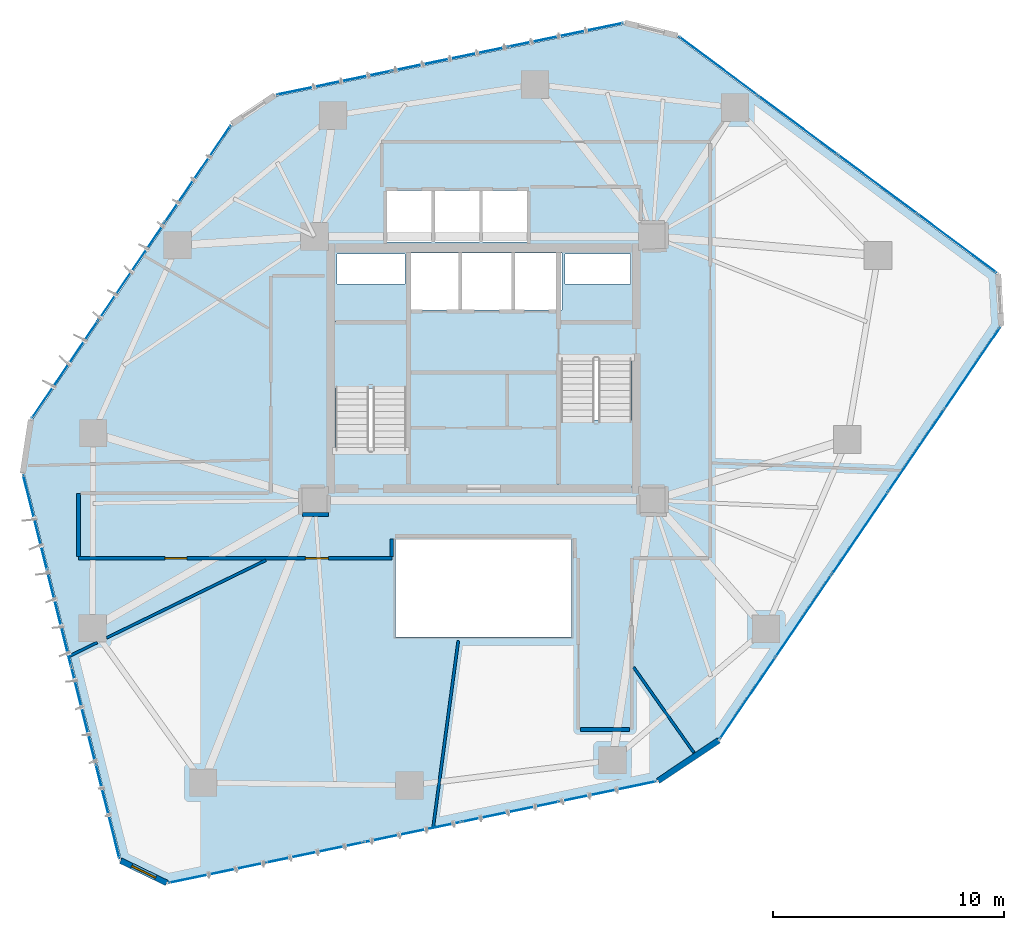
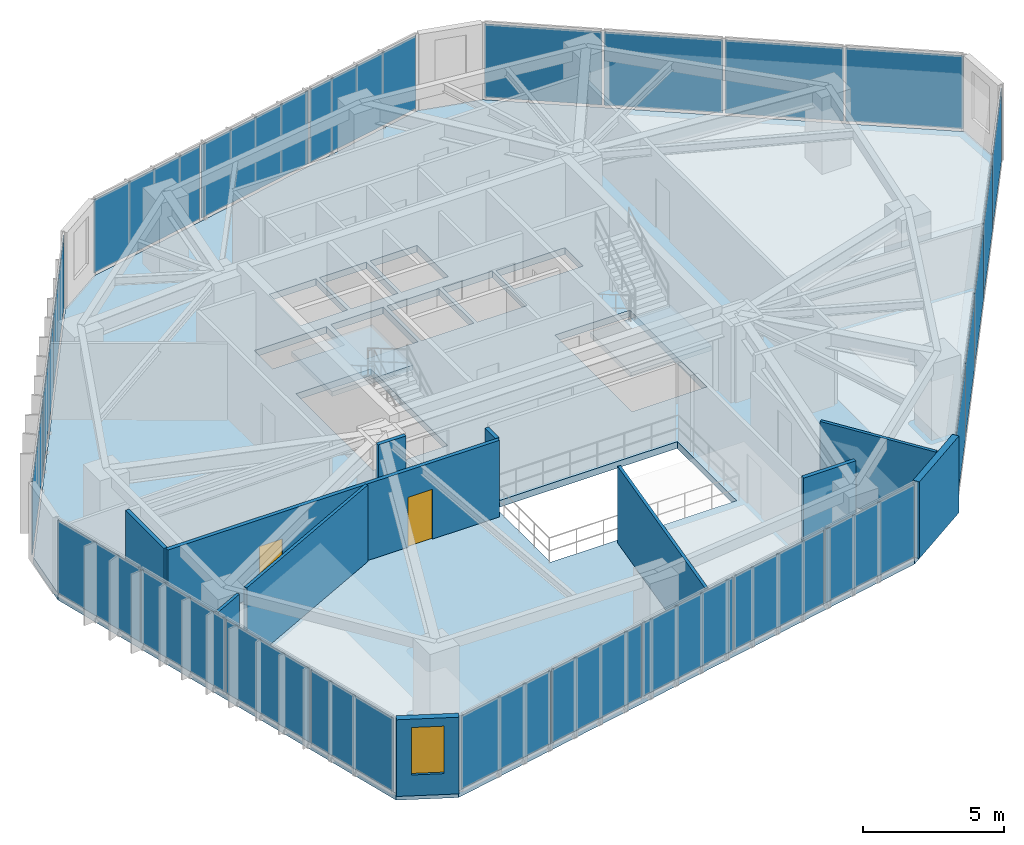
# One storey, part 16 of 22: 24 plates, 11 walls, 3 slabs, 2 doors, 1 window, 3 openings, 8 elements without a shape of their own.
"""IFC4 building model written with IfcOpenShell, lengths in metres."""

from ifc_helpers import new_model, si_unit, direction, frame, frame_2d, origin, origin_2d, place, context, subcontext, project, spatial, polyline, rectangle, outline, extrude, source, transform, mapped, material, layer, layer_set, type_object, type_shapes, element, fill, aggregate, save


model = new_model("IFC4")

# Units and contexts
model_context = context("Model", 3, precision=1e-05, world=origin(), true_north=direction((0.0, 1.0)))
body_context = subcontext(model_context, "Body", "Model", "MODEL_VIEW")
ifc_project = project(units=[si_unit("LENGTHUNIT", "METRE"), si_unit("AREAUNIT", "SQUARE_METRE"), si_unit("VOLUMEUNIT", "CUBIC_METRE"), si_unit("PLANEANGLEUNIT", "RADIAN"), si_unit("MASSUNIT", "GRAM", prefix="KILO")], contexts=[model_context])

# Site, building, storey
site_placement = place(None, origin())
site = spatial("IfcSite", under=ifc_project, at=site_placement, CompositionType="ELEMENT")
building_placement = place(site_placement, origin())
building = spatial("IfcBuilding", under=site, at=building_placement, Name="Talar Marvaseh", CompositionType="ELEMENT")
storey_placement = place(building_placement, frame((0.0, 0.0, 125.39990234375)))
storey = spatial("IfcBuildingStorey", under=building, at=storey_placement, Name="L32", CompositionType="ELEMENT", Elevation=125.39990234375)

# Stair, slab
ifc_material_1 = material(Name="Concrete C40/50", Category="concrete")
stair_type = type_object("IfcStairType", Name="Reinforced Concrete Half-Turn Exit Stair Type B", PredefinedType="HALF_TURN_STAIR", material=ifc_material_1)
stair_1_placement = place(storey_placement, origin())
stair_1 = element("IfcStair", 1, at=stair_1_placement, inside=storey, type_object=stair_type, Name="L32 Tower West Core Exit Stair", PredefinedType="HALF_TURN_STAIR")
ifc_layer_1 = layer(ifc_material_1, 0.199951171875)
ifc_layer_set_1 = layer_set([ifc_layer_1], Name="Concrete C40/50")
slab_type_1 = type_object("IfcSlabType", Name="Reinforced Concrete Stair Half-Landing Slab 200", PredefinedType="LANDING", material=ifc_layer_set_1)
slab_1_placement = place(storey_placement, frame((0.0, 0.0, 1.60009765625)))
slab_1 = element("IfcSlab", 2, at=slab_1_placement, type_object=slab_type_1, Name="ST-1 landing 1", PredefinedType="LANDING", context=body_context, shape_type="SweptSolid", body=[
    extrude(outline(polyline([(22.780029296875, 30.330078125), (22.780029296875, 33.219970703125), (19.47998046875, 33.219970703125), (19.47998046875, 30.330078125), (22.780029296875, 30.330078125)])), origin(), (0.0, 0.0, 1.0), 0.199951171875),
])
aggregate(stair_1, [slab_1])

stair_2_placement = place(storey_placement, origin())
stair_2 = element("IfcStair", 3, at=stair_2_placement, inside=storey, type_object=stair_type, Name="L32 Tower East Core Exit Stair", PredefinedType="HALF_TURN_STAIR")
slab_2_placement = place(storey_placement, frame((0.0, 0.0, 1.60009765625)))
slab_2 = element("IfcSlab", 4, at=slab_2_placement, type_object=slab_type_1, Name="ST-2 landing 1", PredefinedType="LANDING", context=body_context, shape_type="SweptSolid", body=[
    extrude(outline(polyline([(29.219970703125, 28.969970703125), (29.219970703125, 26.080078125), (32.52001953125, 26.080078125), (32.52001953125, 28.969970703125), (29.219970703125, 28.969970703125)])), origin(), (0.0, 0.0, 1.0), 0.199951171875),
])
aggregate(stair_2, [slab_2])

# Slab
ifc_layer_2 = layer(ifc_material_1, 0.2900390625)
ifc_layer_set_2 = layer_set([ifc_layer_2], Name="Concrete C40/50")
slab_type_2 = type_object("IfcSlabType", Name="Structural Suspended Floor Slab 290", PredefinedType="FLOOR", material=ifc_layer_set_2)
slab_3_placement = place(storey_placement, frame((0.0, 0.0, -0.289794921875)))
element("IfcSlab", 5, at=slab_3_placement, inside=storey, type_object=slab_type_2, Name="L32 Tower Floor Slab", PredefinedType="FLOOR", context=body_context, shape_type="SweptSolid", body=[
    extrude(outline(polyline([(12.341552734375, 9.022216796875), (10.34619140625, 9.98779296875), (6.1591796875, 26.66162109375), (6.51025390625, 28.975830078125), (15.15673828125, 41.70751953125), (17.0234375, 42.954833984375), (32.094970703125, 46.071044921875), (34.3671875, 45.509521484375), (48.169677734375, 35.260498046875), (48.298095703125, 33.047607421875), (36.12890625, 15.1806640625), (33.505615234375, 13.427490234375), (12.341552734375, 9.022216796875)]), holes=[polyline([(22.659912109375, 27.64990234375), (22.659912109375, 33.10009765625), (19.60009765625, 33.10009765625), (19.60009765625, 27.64990234375), (22.659912109375, 27.64990234375)]), polyline([(29.340087890625, 31.64990234375), (29.340087890625, 26.199951171875), (32.39990234375, 26.199951171875), (32.39990234375, 31.64990234375), (29.340087890625, 31.64990234375)]), polyline([(22.800048828125, 33.719970703125), (24.93994140625, 33.719970703125), (24.93994140625, 36.179931640625), (22.800048828125, 36.179931640625), (22.800048828125, 33.719970703125)]), polyline([(25.080078125, 33.719970703125), (27.219970703125, 33.719970703125), (27.219970703125, 36.179931640625), (25.080078125, 36.179931640625), (25.080078125, 33.719970703125)]), polyline([(27.360107421875, 33.719970703125), (29.39990234375, 33.719970703125), (29.39990234375, 36.179931640625), (27.360107421875, 36.179931640625), (27.360107421875, 33.719970703125)]), polyline([(21.840087890625, 36.659912109375), (23.760009765625, 36.659912109375), (23.760009765625, 38.8798828125), (21.840087890625, 38.8798828125), (21.840087890625, 36.659912109375)]), polyline([(23.89990234375, 36.659912109375), (25.820068359375, 36.659912109375), (25.820068359375, 38.8798828125), (23.89990234375, 38.8798828125), (23.89990234375, 36.659912109375)]), polyline([(25.9599609375, 36.659912109375), (27.8798828125, 36.659912109375), (27.8798828125, 38.8798828125), (25.9599609375, 38.8798828125), (25.9599609375, 36.659912109375)]), polyline([(19.659912109375, 34.840087890625), (22.60009765625, 34.840087890625), (22.60009765625, 36.139892578125), (19.659912109375, 36.139892578125), (19.659912109375, 34.840087890625)]), polyline([(29.52001953125, 34.840087890625), (32.340087890625, 34.840087890625), (32.340087890625, 36.139892578125), (29.52001953125, 36.139892578125), (29.52001953125, 34.840087890625)]), polyline([(22.199951171875, 19.60009765625), (29.800048828125, 19.60009765625), (29.800048828125, 23.800048828125), (22.199951171875, 23.800048828125), (22.199951171875, 19.60009765625)])]), origin(), (0.0, 0.0, 1.0), 0.289794921875),
])

# Curtain wall, plates
ifc_material_2 = material(Name="Architectural Aluminium", Category="aluminium")
ifc_layer_3 = layer(ifc_material_2, 0.199951171875)
ifc_layer_set_3 = layer_set([ifc_layer_3], Name="Architectural Aluminium")
curtain_wall_type = type_object("IfcCurtainWallType", Name="Unitised Acoustic Library Curtain Wall Z2", PredefinedType="NOTDEFINED", material=ifc_layer_set_3)
curtain_wall_1_placement = place(storey_placement, origin())
curtain_wall_1 = element("IfcCurtainWall", 6, at=curtain_wall_1_placement, inside=storey, type_object=curtain_wall_type, Name="L32 Unitised Acoustic Library Curtain Wall Z2", PredefinedType="NOTDEFINED")
ifc_material_3 = material(Name="Laminated Low-E Solar Glass", Category="glass")
ifc_layer_4 = layer(ifc_material_3, 0.028076171875)
ifc_layer_set_4 = layer_set([ifc_layer_4], Name="Laminated Low-E Solar Glass")
plate_type = type_object("IfcPlateType", Name="Double-Glazed Low-E Vision Curtain Panel 28", PredefinedType="CURTAIN_PANEL", material=ifc_layer_set_4)
shared_shape_1 = source(origin(), body_context, "Body", "SweptSolid", [
    extrude(rectangle(XDim=4.185302734375, YDim=0.028076171875, at=origin_2d()), origin(), (0.0, 0.0, 1.0), 3.159912109375),
])
plate_1_placement = place(storey_placement, frame((9.76025390625, 12.075439453125, 0.0751953125), z_axis=(0.0, 0.0, 1.0), x_axis=(-0.243549669748, 0.96988842573, 0.0)))
plate_1 = element("IfcPlate", 7, at=plate_1_placement, type_object=plate_type, Name="CW-Z2 panel 1.1", PredefinedType="CURTAIN_PANEL", context=body_context, shape_type="MappedRepresentation", body=[
    mapped(shared_shape_1, transform((0.0, 0.0, 0.0), x_axis=(1.0, 0.0, 0.0), y_axis=(0.0, 1.0, 0.0), z_axis=(0.0, 0.0, 1.0), scale=1.0)),
])
plate_2_placement = place(storey_placement, frame((6.629150390625, 24.544677734375, 0.0751953125), z_axis=(0.0, 0.0, 1.0), x_axis=(-0.243549669748, 0.96988842573, 0.0)))
plate_2 = element("IfcPlate", 8, at=plate_2_placement, type_object=plate_type, Name="CW-Z2 panel 4.1", PredefinedType="CURTAIN_PANEL", context=body_context, shape_type="MappedRepresentation", body=[
    mapped(shared_shape_1, transform((0.0, 0.0, 0.0), x_axis=(1.0, 0.0, 0.0), y_axis=(0.0, 1.0, 0.0), z_axis=(0.0, 0.0, 1.0), scale=1.0)),
])

curtain_wall_2_placement = place(storey_placement, origin())
curtain_wall_2 = element("IfcCurtainWall", 9, at=curtain_wall_2_placement, inside=storey, type_object=curtain_wall_type, Name="L32 Unitised Acoustic Library Curtain Wall Z2", PredefinedType="NOTDEFINED")
plate_3_placement = place(storey_placement, frame((36.1435546875, 44.265380859375, 0.0751953125), z_axis=(0.0, 0.0, 1.0), x_axis=(0.802858314931, -0.596169880274, 0.0)))
plate_3 = element("IfcPlate", 10, at=plate_3_placement, type_object=plate_type, Name="CW-Z2 panel 1.1", PredefinedType="CURTAIN_PANEL", context=body_context, shape_type="MappedRepresentation", body=[
    mapped(shared_shape_1, transform((0.0, 0.0, 0.0), x_axis=(1.0, 0.0, 0.0), y_axis=(0.0, 1.0, 0.0), z_axis=(0.0, 0.0, 1.0), scale=1.0)),
])
plate_4_placement = place(storey_placement, frame((46.465087890625, 36.60107421875, 0.0751953125), z_axis=(0.0, 0.0, 1.0), x_axis=(0.802858314931, -0.596169880274, 0.0)))
plate_4 = element("IfcPlate", 11, at=plate_4_placement, type_object=plate_type, Name="CW-Z2 panel 4.1", PredefinedType="CURTAIN_PANEL", context=body_context, shape_type="MappedRepresentation", body=[
    mapped(shared_shape_1, transform((0.0, 0.0, 0.0), x_axis=(1.0, 0.0, 0.0), y_axis=(0.0, 1.0, 0.0), z_axis=(0.0, 0.0, 1.0), scale=1.0)),
])

# Plate
shared_shape_2 = source(origin(), body_context, "Body", "SweptSolid", [
    extrude(rectangle(XDim=4.222900390625, YDim=0.028076171875, at=origin_2d()), origin(), (0.0, 0.0, 1.0), 3.159912109375),
])
plate_5_placement = place(storey_placement, frame((8.718017578125, 16.225830078125, 0.0751953125), z_axis=(0.0, 0.0, 1.0), x_axis=(-0.243549669748, 0.96988842573, 0.0)))
plate_5 = element("IfcPlate", 12, at=plate_5_placement, type_object=plate_type, Name="CW-Z2 panel 2.1", PredefinedType="CURTAIN_PANEL", context=body_context, shape_type="MappedRepresentation", body=[
    mapped(shared_shape_2, transform((0.0, 0.0, 0.0), x_axis=(1.0, 0.0, 0.0), y_axis=(0.0, 1.0, 0.0), z_axis=(0.0, 0.0, 1.0), scale=1.0)),
])

plate_6_placement = place(storey_placement, frame((7.671142578125, 20.394287109375, 0.0751953125), z_axis=(0.0, 0.0, 1.0), x_axis=(-0.243549669748, 0.96988842573, 0.0)))
plate_6 = element("IfcPlate", 13, at=plate_6_placement, type_object=plate_type, Name="CW-Z2 panel 3.1", PredefinedType="CURTAIN_PANEL", context=body_context, shape_type="MappedRepresentation", body=[
    mapped(shared_shape_2, transform((0.0, 0.0, 0.0), x_axis=(1.0, 0.0, 0.0), y_axis=(0.0, 1.0, 0.0), z_axis=(0.0, 0.0, 1.0), scale=1.0)),
])

aggregate(curtain_wall_1, [plate_1, plate_5, plate_6, plate_2])

plate_7_placement = place(storey_placement, frame((39.5791015625, 41.71435546875, 0.0751953125), z_axis=(0.0, 0.0, 1.0), x_axis=(0.802858314931, -0.596169880274, 0.0)))
plate_7 = element("IfcPlate", 14, at=plate_7_placement, type_object=plate_type, Name="CW-Z2 panel 2.1", PredefinedType="CURTAIN_PANEL", context=body_context, shape_type="MappedRepresentation", body=[
    mapped(shared_shape_2, transform((0.0, 0.0, 0.0), x_axis=(1.0, 0.0, 0.0), y_axis=(0.0, 1.0, 0.0), z_axis=(0.0, 0.0, 1.0), scale=1.0)),
])

plate_8_placement = place(storey_placement, frame((43.029541015625, 39.152099609375, 0.0751953125), z_axis=(0.0, 0.0, 1.0), x_axis=(0.802858314931, -0.596169880274, 0.0)))
plate_8 = element("IfcPlate", 15, at=plate_8_placement, type_object=plate_type, Name="CW-Z2 panel 3.1", PredefinedType="CURTAIN_PANEL", context=body_context, shape_type="MappedRepresentation", body=[
    mapped(shared_shape_2, transform((0.0, 0.0, 0.0), x_axis=(1.0, 0.0, 0.0), y_axis=(0.0, 1.0, 0.0), z_axis=(0.0, 0.0, 1.0), scale=1.0)),
])

aggregate(curtain_wall_2, [plate_3, plate_7, plate_8, plate_4])

# Curtain wall, plates
curtain_wall_3_placement = place(storey_placement, origin())
curtain_wall_3 = element("IfcCurtainWall", 16, at=curtain_wall_3_placement, inside=storey, type_object=curtain_wall_type, Name="L32 Unitised Acoustic Library Curtain Wall Z2", PredefinedType="NOTDEFINED")
shared_shape_3 = source(origin(), body_context, "Body", "SweptSolid", [
    extrude(rectangle(XDim=5.017578125, YDim=0.028076171875, at=origin_2d()), origin(), (0.0, 0.0, 1.0), 3.159912109375),
])
plate_9_placement = place(storey_placement, frame((7.912353515625, 31.14697265625, 0.0751953125), z_axis=(0.0, 0.0, 1.0), x_axis=(0.561821708939, 0.827258343786, 0.0)))
plate_9 = element("IfcPlate", 17, at=plate_9_placement, type_object=plate_type, Name="CW-Z2 panel 1.1", PredefinedType="CURTAIN_PANEL", context=body_context, shape_type="MappedRepresentation", body=[
    mapped(shared_shape_3, transform((0.0, 0.0, 0.0), x_axis=(1.0, 0.0, 0.0), y_axis=(0.0, 1.0, 0.0), z_axis=(0.0, 0.0, 1.0), scale=1.0)),
])
plate_10_placement = place(storey_placement, frame((13.655517578125, 39.603759765625, 0.0751953125), z_axis=(0.0, 0.0, 1.0), x_axis=(0.561821708939, 0.827258343786, 0.0)))
plate_10 = element("IfcPlate", 18, at=plate_10_placement, type_object=plate_type, Name="CW-Z2 panel 3.1", PredefinedType="CURTAIN_PANEL", context=body_context, shape_type="MappedRepresentation", body=[
    mapped(shared_shape_3, transform((0.0, 0.0, 0.0), x_axis=(1.0, 0.0, 0.0), y_axis=(0.0, 1.0, 0.0), z_axis=(0.0, 0.0, 1.0), scale=1.0)),
])

curtain_wall_4_placement = place(storey_placement, origin())
curtain_wall_4 = element("IfcCurtainWall", 19, at=curtain_wall_4_placement, inside=storey, type_object=curtain_wall_type, Name="L32 Unitised Acoustic Library Curtain Wall Z2", PredefinedType="NOTDEFINED")
plate_11_placement = place(storey_placement, frame((19.541748046875, 43.536865234375, 0.0751953125), z_axis=(0.0, 0.0, 1.0), x_axis=(0.979286461275, 0.202479694695, 0.0)))
plate_11 = element("IfcPlate", 20, at=plate_11_placement, type_object=plate_type, Name="CW-Z2 panel 1.1", PredefinedType="CURTAIN_PANEL", context=body_context, shape_type="MappedRepresentation", body=[
    mapped(shared_shape_3, transform((0.0, 0.0, 0.0), x_axis=(1.0, 0.0, 0.0), y_axis=(0.0, 1.0, 0.0), z_axis=(0.0, 0.0, 1.0), scale=1.0)),
])
plate_12_placement = place(storey_placement, frame((29.552490234375, 45.606689453125, 0.0751953125), z_axis=(0.0, 0.0, 1.0), x_axis=(0.979286461275, 0.202479694695, 0.0)))
plate_12 = element("IfcPlate", 21, at=plate_12_placement, type_object=plate_type, Name="CW-Z2 panel 3.1", PredefinedType="CURTAIN_PANEL", context=body_context, shape_type="MappedRepresentation", body=[
    mapped(shared_shape_3, transform((0.0, 0.0, 0.0), x_axis=(1.0, 0.0, 0.0), y_axis=(0.0, 1.0, 0.0), z_axis=(0.0, 0.0, 1.0), scale=1.0)),
])

# Plate
shared_shape_4 = source(origin(), body_context, "Body", "SweptSolid", [
    extrude(rectangle(XDim=5.054931640625, YDim=0.028076171875, at=origin_2d()), origin(), (0.0, 0.0, 1.0), 3.159912109375),
])
plate_13_placement = place(storey_placement, frame((10.783935546875, 35.37548828125, 0.0751953125), z_axis=(0.0, 0.0, 1.0), x_axis=(0.561821708939, 0.827258343786, 0.0)))
plate_13 = element("IfcPlate", 22, at=plate_13_placement, type_object=plate_type, Name="CW-Z2 panel 2.1", PredefinedType="CURTAIN_PANEL", context=body_context, shape_type="MappedRepresentation", body=[
    mapped(shared_shape_4, transform((0.0, 0.0, 0.0), x_axis=(1.0, 0.0, 0.0), y_axis=(0.0, 1.0, 0.0), z_axis=(0.0, 0.0, 1.0), scale=1.0)),
])

aggregate(curtain_wall_3, [plate_9, plate_13, plate_10])

shared_shape_5 = source(origin(), body_context, "Body", "SweptSolid", [
    extrude(rectangle(XDim=5.05517578125, YDim=0.028076171875, at=origin_2d()), origin(), (0.0, 0.0, 1.0), 3.159912109375),
])
plate_14_placement = place(storey_placement, frame((24.547119140625, 44.57177734375, 0.0751953125), z_axis=(0.0, 0.0, 1.0), x_axis=(0.979286461275, 0.202479694695, 0.0)))
plate_14 = element("IfcPlate", 23, at=plate_14_placement, type_object=plate_type, Name="CW-Z2 panel 2.1", PredefinedType="CURTAIN_PANEL", context=body_context, shape_type="MappedRepresentation", body=[
    mapped(shared_shape_5, transform((0.0, 0.0, 0.0), x_axis=(1.0, 0.0, 0.0), y_axis=(0.0, 1.0, 0.0), z_axis=(0.0, 0.0, 1.0), scale=1.0)),
])

aggregate(curtain_wall_4, [plate_11, plate_14, plate_12])

# Curtain wall, plates
curtain_wall_5_placement = place(storey_placement, origin())
curtain_wall_5 = element("IfcCurtainWall", 24, at=curtain_wall_5_placement, inside=storey, type_object=curtain_wall_type, Name="L32 Unitised Acoustic Library Curtain Wall Z2", PredefinedType="NOTDEFINED")
shared_shape_6 = source(origin(), body_context, "Body", "SweptSolid", [
    extrude(rectangle(XDim=4.2109375, YDim=0.028076171875, at=origin_2d()), origin(), (0.0, 0.0, 1.0), 3.159912109375),
])
plate_15_placement = place(storey_placement, frame((47.120361328125, 31.211669921875, 0.0751953125), z_axis=(0.0, 0.0, 1.0), x_axis=(-0.562931115761, -0.826503816633, 0.0)))
plate_15 = element("IfcPlate", 25, at=plate_15_placement, type_object=plate_type, Name="CW-Z2 panel 1.1", PredefinedType="CURTAIN_PANEL", context=body_context, shape_type="MappedRepresentation", body=[
    mapped(shared_shape_6, transform((0.0, 0.0, 0.0), x_axis=(1.0, 0.0, 0.0), y_axis=(0.0, 1.0, 0.0), z_axis=(0.0, 0.0, 1.0), scale=1.0)),
])
plate_16_placement = place(storey_placement, frame((37.406005859375, 16.948974609375, 0.0751953125), z_axis=(0.0, 0.0, 1.0), x_axis=(-0.562931115761, -0.826503816633, 0.0)))
plate_16 = element("IfcPlate", 26, at=plate_16_placement, type_object=plate_type, Name="CW-Z2 panel 5.1", PredefinedType="CURTAIN_PANEL", context=body_context, shape_type="MappedRepresentation", body=[
    mapped(shared_shape_6, transform((0.0, 0.0, 0.0), x_axis=(1.0, 0.0, 0.0), y_axis=(0.0, 1.0, 0.0), z_axis=(0.0, 0.0, 1.0), scale=1.0)),
])

curtain_wall_6_placement = place(storey_placement, origin())
curtain_wall_6 = element("IfcCurtainWall", 27, at=curtain_wall_6_placement, inside=storey, type_object=curtain_wall_type, Name="L32 Unitised Acoustic Library Curtain Wall Z2", PredefinedType="NOTDEFINED")
plate_17_placement = place(storey_placement, frame((31.383056640625, 12.924560546875, 0.0751953125), z_axis=(0.0, 0.0, 1.0), x_axis=(-0.979014272677, -0.203791692408, 0.0)))
plate_17 = element("IfcPlate", 28, at=plate_17_placement, type_object=plate_type, Name="CW-Z2 panel 1.1", PredefinedType="CURTAIN_PANEL", context=body_context, shape_type="MappedRepresentation", body=[
    mapped(shared_shape_6, transform((0.0, 0.0, 0.0), x_axis=(1.0, 0.0, 0.0), y_axis=(0.0, 1.0, 0.0), z_axis=(0.0, 0.0, 1.0), scale=1.0)),
])
plate_18_placement = place(storey_placement, frame((14.488525390625, 9.40771484375, 0.0751953125), z_axis=(0.0, 0.0, 1.0), x_axis=(-0.979014272677, -0.203791692408, 0.0)))
plate_18 = element("IfcPlate", 29, at=plate_18_placement, type_object=plate_type, Name="CW-Z2 panel 5.1", PredefinedType="CURTAIN_PANEL", context=body_context, shape_type="MappedRepresentation", body=[
    mapped(shared_shape_6, transform((0.0, 0.0, 0.0), x_axis=(1.0, 0.0, 0.0), y_axis=(0.0, 1.0, 0.0), z_axis=(0.0, 0.0, 1.0), scale=1.0)),
])

# Plate
shared_shape_7 = source(origin(), body_context, "Body", "SweptSolid", [
    extrude(rectangle(XDim=4.24853515625, YDim=0.028076171875, at=origin_2d()), origin(), (0.0, 0.0, 1.0), 3.159912109375),
])
type_shapes(plate_type, [shared_shape_1, shared_shape_2, shared_shape_3, shared_shape_4, shared_shape_5, shared_shape_6, shared_shape_7])
plate_19_placement = place(storey_placement, frame((44.697021484375, 27.65380859375, 0.0751953125), z_axis=(0.0, 0.0, 1.0), x_axis=(-0.562931115761, -0.826503816633, 0.0)))
plate_19 = element("IfcPlate", 30, at=plate_19_placement, type_object=plate_type, Name="CW-Z2 panel 2.1", PredefinedType="CURTAIN_PANEL", context=body_context, shape_type="MappedRepresentation", body=[
    mapped(shared_shape_7, transform((0.0, 0.0, 0.0), x_axis=(1.0, 0.0, 0.0), y_axis=(0.0, 1.0, 0.0), z_axis=(0.0, 0.0, 1.0), scale=1.0)),
])

plate_20_placement = place(storey_placement, frame((42.26318359375, 24.080322265625, 0.0751953125), z_axis=(0.0, 0.0, 1.0), x_axis=(-0.562931115761, -0.826503816633, 0.0)))
plate_20 = element("IfcPlate", 31, at=plate_20_placement, type_object=plate_type, Name="CW-Z2 panel 3.1", PredefinedType="CURTAIN_PANEL", context=body_context, shape_type="MappedRepresentation", body=[
    mapped(shared_shape_7, transform((0.0, 0.0, 0.0), x_axis=(1.0, 0.0, 0.0), y_axis=(0.0, 1.0, 0.0), z_axis=(0.0, 0.0, 1.0), scale=1.0)),
])

plate_21_placement = place(storey_placement, frame((39.829345703125, 20.5068359375, 0.0751953125), z_axis=(0.0, 0.0, 1.0), x_axis=(-0.562931115761, -0.826503816633, 0.0)))
plate_21 = element("IfcPlate", 32, at=plate_21_placement, type_object=plate_type, Name="CW-Z2 panel 4.1", PredefinedType="CURTAIN_PANEL", context=body_context, shape_type="MappedRepresentation", body=[
    mapped(shared_shape_7, transform((0.0, 0.0, 0.0), x_axis=(1.0, 0.0, 0.0), y_axis=(0.0, 1.0, 0.0), z_axis=(0.0, 0.0, 1.0), scale=1.0)),
])

aggregate(curtain_wall_5, [plate_15, plate_19, plate_20, plate_21, plate_16])

plate_22_placement = place(storey_placement, frame((27.16845703125, 12.04736328125, 0.0751953125), z_axis=(0.0, 0.0, 1.0), x_axis=(-0.979014272677, -0.203791692408, 0.0)))
plate_22 = element("IfcPlate", 33, at=plate_22_placement, type_object=plate_type, Name="CW-Z2 panel 2.1", PredefinedType="CURTAIN_PANEL", context=body_context, shape_type="MappedRepresentation", body=[
    mapped(shared_shape_7, transform((0.0, 0.0, 0.0), x_axis=(1.0, 0.0, 0.0), y_axis=(0.0, 1.0, 0.0), z_axis=(0.0, 0.0, 1.0), scale=1.0)),
])

plate_23_placement = place(storey_placement, frame((22.935791015625, 11.166259765625, 0.0751953125), z_axis=(0.0, 0.0, 1.0), x_axis=(-0.979014272677, -0.203791692408, 0.0)))
plate_23 = element("IfcPlate", 34, at=plate_23_placement, type_object=plate_type, Name="CW-Z2 panel 3.1", PredefinedType="CURTAIN_PANEL", context=body_context, shape_type="MappedRepresentation", body=[
    mapped(shared_shape_7, transform((0.0, 0.0, 0.0), x_axis=(1.0, 0.0, 0.0), y_axis=(0.0, 1.0, 0.0), z_axis=(0.0, 0.0, 1.0), scale=1.0)),
])

plate_24_placement = place(storey_placement, frame((18.702880859375, 10.28515625, 0.0751953125), z_axis=(0.0, 0.0, 1.0), x_axis=(-0.979014272677, -0.203791692408, 0.0)))
plate_24 = element("IfcPlate", 35, at=plate_24_placement, type_object=plate_type, Name="CW-Z2 panel 4.1", PredefinedType="CURTAIN_PANEL", context=body_context, shape_type="MappedRepresentation", body=[
    mapped(shared_shape_7, transform((0.0, 0.0, 0.0), x_axis=(1.0, 0.0, 0.0), y_axis=(0.0, 1.0, 0.0), z_axis=(0.0, 0.0, 1.0), scale=1.0)),
])

aggregate(curtain_wall_6, [plate_17, plate_22, plate_23, plate_24, plate_18])

# Wall, opening, window
ifc_material_4 = material(Name="Precast concrete C45/55", Category="concrete")
ifc_layer_5 = layer(ifc_material_4, 0.2548828125)
ifc_layer_set_5 = layer_set([ifc_layer_5], Name="Precast concrete C45/55")
wall_type_1 = type_object("IfcWallType", Name="Chamfered Hexagonal Corner Pier Wall Z2 255", PredefinedType="SOLIDWALL", material=ifc_layer_set_5)
wall_1_placement = place(storey_placement, frame((12.3154296875, 8.968017578125, 0.0), z_axis=(0.0, 0.0, 1.0), x_axis=(-0.900124421161, 0.435632903291, 0.0)))
wall_1 = element("IfcWall", 36, at=wall_1_placement, inside=storey, type_object=wall_type_1, Name="L32 Chamfered Corner Limestone Pier 1", PredefinedType="SOLIDWALL", context=body_context, shape_type="SweptSolid", body=[
    extrude(rectangle(XDim=2.216552734375, YDim=0.2548828125, at=frame_2d((1.1083984375, 0.0))), origin(), (0.0, 0.0, 1.0), 3.31005859375),
])
opening_1_placement = place(wall_1_placement, frame((0.532958984375, 0.0, 0.89990234375)))
opening_1 = element("IfcOpeningElement", 37, at=opening_1_placement, cuts=wall_1, Name="Opening WN-CHM11", PredefinedType="OPENING", context=body_context, shape_type="SweptSolid", body=[
    extrude(rectangle(XDim=1.14990234375, YDim=2.050048828125, at=frame_2d((0.574951171875, 1.02490234375))), frame((0.0, 0.137451171875, 0.0), z_axis=(0.0, -1.0, 0.0), x_axis=(1.0, 0.0, 0.0)), (0.0, 0.0, 1.0), 0.27490234375),
])
window_type = type_object("IfcWindowType", Name="Zone 2 Chamfered Corner Slot Window 1150x2050", PartitioningType="SINGLE_PANEL", PredefinedType="WINDOW", material=ifc_material_3)
shared_shape_8 = source(origin(), body_context, "Body", "SweptSolid", [
    extrude(rectangle(XDim=1.14990234375, YDim=2.050048828125, at=frame_2d((0.574951171875, 1.02490234375))), frame((0.0, 0.030029296875, 0.0), z_axis=(0.0, -1.0, 0.0), x_axis=(1.0, 0.0, 0.0)), (0.0, 0.0, 1.0), 0.06005859375),
])
type_shapes(window_type, [shared_shape_8])
window_placement = place(opening_1_placement, origin())
window = element("IfcWindow", 38, at=window_placement, inside=storey, type_object=window_type, Name="L32 Chamfered Corner Slot Window", OverallHeight=2.050048828125, OverallWidth=1.14990234375, PartitioningType="SINGLE_PANEL", PredefinedType="WINDOW", context=body_context, shape_type="MappedRepresentation", body=[
    mapped(shared_shape_8, transform((0.0, 0.0, 0.0), x_axis=(1.0, 0.0, 0.0), y_axis=(0.0, 1.0, 0.0), z_axis=(0.0, 0.0, 1.0), scale=1.0)),
])
fill(opening_1, window)

# Wall
wall_2_placement = place(storey_placement, frame((36.162353515625, 15.130615234375, 0.0), z_axis=(0.0, 0.0, 1.0), x_axis=(-0.831478463673, -0.555556985778, 0.0)))
element("IfcWall", 39, at=wall_2_placement, inside=storey, type_object=wall_type_1, Name="L32 Chamfered Corner Limestone Pier 6", PredefinedType="SOLIDWALL", context=body_context, shape_type="SweptSolid", body=[
    extrude(rectangle(XDim=3.1552734375, YDim=0.2548828125, at=frame_2d((1.57763671875, 0.0))), origin(), (0.0, 0.0, 1.0), 3.31005859375),
])

# Wall, openings, doors
ifc_material_5 = material(Name="Gypsum Board Partition Assembly")
ifc_layer_6 = layer(ifc_material_5, 0.155029296875)
ifc_layer_set_6 = layer_set([ifc_layer_6], Name="Gypsum Board Partition Assembly")
wall_type_2 = type_object("IfcWallType", Name="Corridor Fire-Rated Acoustic Partition 155", PredefinedType="PARTITIONING", material=ifc_layer_set_6)
wall_3_placement = place(storey_placement, frame((22.0400390625, 23.0, 0.0), z_axis=(0.0, 0.0, 1.0), x_axis=(-1.0, 0.0, 0.0)))
wall_3 = element("IfcWall", 40, at=wall_3_placement, inside=storey, type_object=wall_type_2, Name="L32 Interior Partition Wall", PredefinedType="PARTITIONING", context=body_context, shape_type="SweptSolid", body=[
    extrude(rectangle(XDim=13.5400390625, YDim=0.155029296875, at=frame_2d((6.77001953125, 0.0))), origin(), (0.0, 0.0, 1.0), 3.31005859375),
])
opening_2_placement = place(wall_3_placement, frame((8.858154296875, 0.0, 0.0)))
opening_2 = element("IfcOpeningElement", 41, at=opening_2_placement, cuts=wall_3, Name="Opening DR-WC095", PredefinedType="OPENING", context=body_context, shape_type="SweptSolid", body=[
    extrude(rectangle(XDim=0.949951171875, YDim=2.14990234375, at=frame_2d((0.47509765625, 1.074951171875))), frame((0.0, 0.08740234375, 0.0), z_axis=(0.0, -1.0, 0.0), x_axis=(1.0, 0.0, 0.0)), (0.0, 0.0, 1.0), 0.175048828125),
])
opening_3_placement = place(wall_3_placement, frame((2.73974609375, 0.0, 0.0)))
opening_3 = element("IfcOpeningElement", 42, at=opening_3_placement, cuts=wall_3, Name="Opening DR-RM100", PredefinedType="OPENING", context=body_context, shape_type="SweptSolid", body=[
    extrude(rectangle(XDim=1.0, YDim=2.14990234375, at=frame_2d((0.5, 1.074951171875))), frame((0.0, 0.08740234375, 0.0), z_axis=(0.0, -1.0, 0.0), x_axis=(1.0, 0.0, 0.0)), (0.0, 0.0, 1.0), 0.175048828125),
])
ifc_material_6 = material(Name="Acoustic Engineered Oak Timber", Category="wood")
door_type_1 = type_object("IfcDoorType", Name="Washroom and Service Room Door 950x2150", OperationType="NOTDEFINED", PredefinedType="DOOR", material=ifc_material_6)
shared_shape_9 = source(origin(), body_context, "Body", "SweptSolid", [
    extrude(rectangle(XDim=0.949951171875, YDim=2.14990234375, at=frame_2d((0.47509765625, 1.074951171875))), frame((0.0, 0.02490234375, 0.0), z_axis=(0.0, -1.0, 0.0), x_axis=(1.0, 0.0, 0.0)), (0.0, 0.0, 1.0), 0.050048828125),
])
type_shapes(door_type_1, [shared_shape_9])
door_1_placement = place(opening_2_placement, origin())
door_1 = element("IfcDoor", 43, at=door_1_placement, inside=storey, type_object=door_type_1, Name="L32 Accessible WC Block Door", OperationType="SINGLE_SWING_LEFT", OverallHeight=2.14990234375, OverallWidth=0.949951171875, PredefinedType="DOOR", context=body_context, shape_type="MappedRepresentation", body=[
    mapped(shared_shape_9, transform((0.0, 0.0, 0.0), x_axis=(1.0, 0.0, 0.0), y_axis=(0.0, 1.0, 0.0), z_axis=(0.0, 0.0, 1.0), scale=1.0)),
])
fill(opening_2, door_1)
door_type_2 = type_object("IfcDoorType", Name="Corridor Fire-Rated Gallery Door 1000x2150", OperationType="NOTDEFINED", PredefinedType="DOOR", material=ifc_material_6)
shared_shape_10 = source(origin(), body_context, "Body", "SweptSolid", [
    extrude(rectangle(XDim=1.0, YDim=2.14990234375, at=frame_2d((0.5, 1.074951171875))), frame((0.0, 0.02490234375, 0.0), z_axis=(0.0, -1.0, 0.0), x_axis=(1.0, 0.0, 0.0)), (0.0, 0.0, 1.0), 0.050048828125),
])
type_shapes(door_type_2, [shared_shape_10])
door_2_placement = place(opening_3_placement, origin())
door_2 = element("IfcDoor", 44, at=door_2_placement, inside=storey, type_object=door_type_2, Name="L32 Curatorial Office Door", OperationType="SINGLE_SWING_RIGHT", OverallHeight=2.14990234375, OverallWidth=1.0, PredefinedType="DOOR", context=body_context, shape_type="MappedRepresentation", body=[
    mapped(shared_shape_10, transform((0.0, 0.0, 0.0), x_axis=(1.0, 0.0, 0.0), y_axis=(0.0, 1.0, 0.0), z_axis=(0.0, 0.0, 1.0), scale=1.0)),
])
fill(opening_3, door_2)

# Walls
wall_4_placement = place(storey_placement, frame((22.043212890625, 23.831298828125, 0.0), z_axis=(0.0, 0.0, 1.0), x_axis=(-0.003917697652, -0.999992325793, 0.0)))
element("IfcWall", 45, at=wall_4_placement, inside=storey, type_object=wall_type_2, Name="L32 Interior Partition Wall", PredefinedType="PARTITIONING", context=body_context, shape_type="SweptSolid", body=[
    extrude(rectangle(XDim=0.747802734375, YDim=0.155029296875, at=frame_2d((0.3740234375, 0.0))), origin(), (0.0, 0.0, 1.0), 3.31005859375),
])
wall_5_placement = place(storey_placement, frame((8.5, 23.08349609375, 0.0), z_axis=(0.0, 0.0, 1.0), x_axis=(0.0, 1.0, 0.0)))
element("IfcWall", 46, at=wall_5_placement, inside=storey, type_object=wall_type_2, Name="L32 Interior Partition Wall", PredefinedType="PARTITIONING", context=body_context, shape_type="SweptSolid", body=[
    extrude(rectangle(XDim=2.716552734375, YDim=0.155029296875, at=frame_2d((1.3583984375, 0.0))), origin(), (0.0, 0.0, 1.0), 3.31005859375),
])
wall_6_placement = place(storey_placement, frame((18.17529296875, 24.8876953125, 0.0), z_axis=(0.0, 0.0, 1.0), x_axis=(0.999999791525, 0.000645716611, 0.0)))
element("IfcWall", 47, at=wall_6_placement, inside=storey, type_object=wall_type_2, Name="L32 Interior Partition Wall", PredefinedType="PARTITIONING", context=body_context, shape_type="SweptSolid", body=[
    extrude(rectangle(XDim=1.13427734375, YDim=0.155029296875, at=frame_2d((0.567138671875, 0.0))), origin(), (0.0, 0.0, 1.0), 3.31005859375),
])
wall_7_placement = place(storey_placement, frame((32.31640625, 15.60009765625, 0.0), z_axis=(0.0, 0.0, 1.0), x_axis=(-1.0, 0.0, 0.0)))
element("IfcWall", 48, at=wall_7_placement, inside=storey, type_object=wall_type_2, Name="L32 Interior Partition Wall", PredefinedType="PARTITIONING", context=body_context, shape_type="SweptSolid", body=[
    extrude(rectangle(XDim=2.1328125, YDim=0.155029296875, at=frame_2d((1.06640625, 0.0))), origin(), (0.0, 0.0, 1.0), 3.31005859375),
])
ifc_layer_7 = layer(ifc_material_5, 0.1201171875)
ifc_layer_set_7 = layer_set([ifc_layer_7], Name="Gypsum Board Partition Assembly")
wall_type_3 = type_object("IfcWallType", Name="Demountable Studio Room Partition 120", PredefinedType="PARTITIONING", material=ifc_layer_set_7)
wall_8_placement = place(storey_placement, frame((16.598876953125, 22.91650390625, 0.0), z_axis=(0.0, 0.0, 1.0), x_axis=(-0.898723071103, -0.438516637618, 0.0)))
element("IfcWall", 49, at=wall_8_placement, inside=storey, type_object=wall_type_3, Name="L32 Interior Partition Wall", PredefinedType="PARTITIONING", context=body_context, shape_type="SweptSolid", body=[
    extrude(rectangle(XDim=7.654052734375, YDim=0.1201171875, at=frame_2d((3.8271484375, 0.0))), origin(), (0.0, 0.0, 1.0), 3.31005859375),
])
wall_9_placement = place(storey_placement, frame((9.31005859375, 19.360107421875, 0.0), z_axis=(0.0, 0.0, 1.0), x_axis=(-0.897819250298, -0.440364160434, 0.0)))
element("IfcWall", 50, at=wall_9_placement, inside=storey, type_object=wall_type_3, Name="L32 Interior Partition Wall", PredefinedType="PARTITIONING", context=body_context, shape_type="SweptSolid", body=[
    extrude(rectangle(XDim=1.3427734375, YDim=0.1201171875, at=frame_2d((0.67138671875, 0.0))), origin(), (0.0, 0.0, 1.0), 3.31005859375),
])
wall_10_placement = place(storey_placement, frame((24.909912109375, 19.43994140625, 0.0), z_axis=(0.0, 0.0, 1.0), x_axis=(-0.133305467951, -0.991074998279, 0.0)))
element("IfcWall", 51, at=wall_10_placement, inside=storey, type_object=wall_type_3, Name="L32 Interior Partition Wall", PredefinedType="PARTITIONING", context=body_context, shape_type="SweptSolid", body=[
    extrude(rectangle(XDim=8.136962890625, YDim=0.1201171875, at=frame_2d((4.068359375, 0.0))), origin(), (0.0, 0.0, 1.0), 3.31005859375),
])
wall_11_placement = place(storey_placement, frame((32.4833984375, 18.291748046875, 0.0), z_axis=(0.0, 0.0, 1.0), x_axis=(0.57652383092, -0.817080334105, 0.0)))
element("IfcWall", 52, at=wall_11_placement, inside=storey, type_object=wall_type_3, Name="L32 Interior Partition Wall", PredefinedType="PARTITIONING", context=body_context, shape_type="SweptSolid", body=[
    extrude(rectangle(XDim=4.51123046875, YDim=0.1201171875, at=frame_2d((2.255615234375, 0.0))), origin(), (0.0, 0.0, 1.0), 3.31005859375),
])

save(model, "model.ifc")
